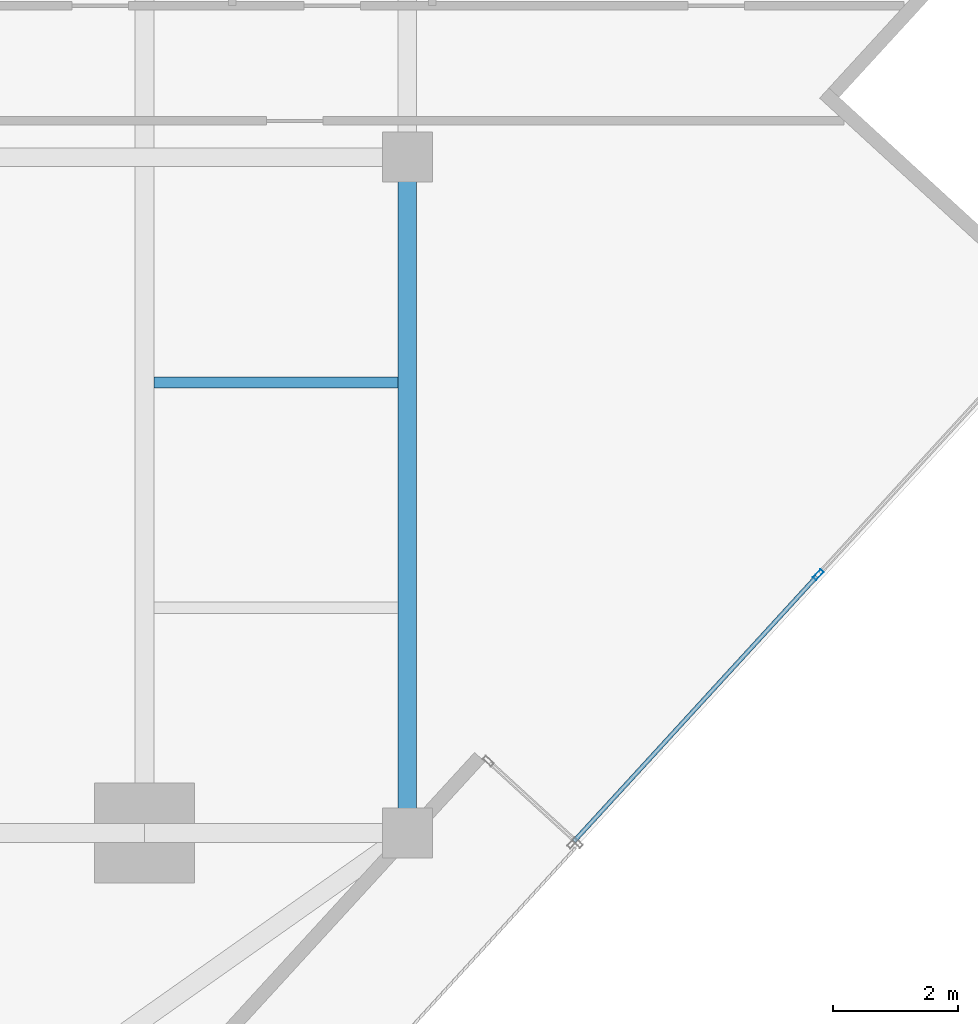
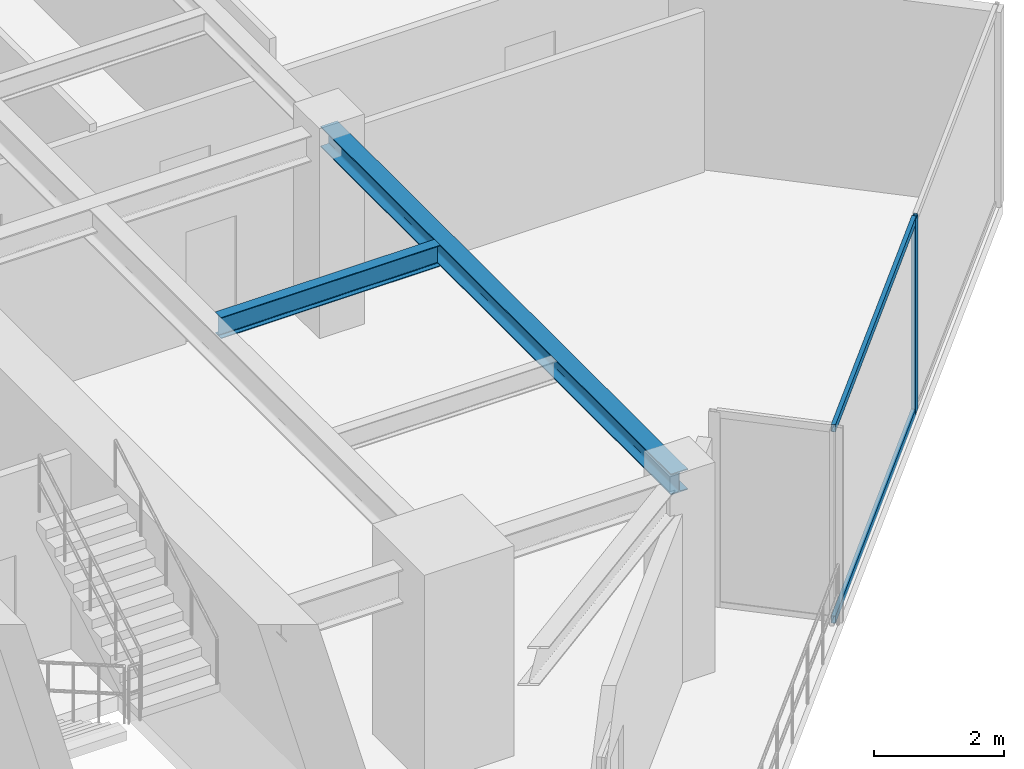
# One storey, part 11 of 26: 3 members, 2 beams, 1 element without a shape of its own.
"""IFC4 building model written with IfcOpenShell, lengths in metres."""

import ifcopenshell
import ifcopenshell.guid

model = None  # the IFC model being written
_history = None  # IfcOwnerHistory: only IFC2X3 demands one
_inside = {}  # id of a spatial element -> (the spatial element, [elements in it])
_under = {}  # id of a project, library or spatial element -> (it, [spatial elements below it])
_declared = {}  # id of a project -> (the project, [libraries it declares])
_typed = {}  # id of a type object -> (the type object, [elements of that type])
_made_of = {}  # id of a material, layer set ... -> (it, [elements and type objects made of it])


def new_model(schema):
    """Start an empty IFC model of exactly this schema.

    Asked for "IFC4X3", IfcOpenShell would pick the latest addendum, in which some entities
    have other attributes; the version numbers below select the first issue.
    IFC2X3 requires an IfcOwnerHistory on every rooted entity: one is made here for all.
    """
    global model, _history
    if schema == "IFC4X3":
        model = ifcopenshell.file(schema_version=(4, 3, 0, 0))
    else:
        model = ifcopenshell.file(schema=schema)
    _inside.clear()
    _under.clear()
    _declared.clear()
    _typed.clear()
    _made_of.clear()
    _history = None
    if model.schema == "IFC2X3":
        org = make("IfcOrganization", Name="unknown")
        user = make(
            "IfcPersonAndOrganization",
            ThePerson=make("IfcPerson", FamilyName="unknown"),
            TheOrganization=org,
        )
        app = make(
            "IfcApplication",
            ApplicationDeveloper=org,
            Version="unknown",
            ApplicationFullName="unknown",
            ApplicationIdentifier="unknown",
        )
        _history = make(
            "IfcOwnerHistory",
            OwningUser=user,
            OwningApplication=app,
            ChangeAction="ADDED",
            CreationDate=0,
        )
    return model


def make(cls, **values):
    """One entity of the class cls with the attributes given. An attribute that is None is left unset."""
    return model.create_entity(
        cls, **{name: value for name, value in values.items() if value is not None}
    )


def rooted(cls, **values):
    """An entity with a GlobalId (a new one), such as an element, a storey or a relation."""
    return make(cls, GlobalId=ifcopenshell.guid.new(), OwnerHistory=_history, **values)


def si_unit(unit_type, name, prefix=None):
    """IfcSIUnit, for example si_unit("LENGTHUNIT", "METRE", prefix="MILLI")."""
    return make("IfcSIUnit", UnitType=unit_type, Prefix=prefix, Name=name)


def assignment(units):
    """IfcUnitAssignment: the units of a project."""
    return None if units is None else make("IfcUnitAssignment", Units=units)


def point(xyz):
    """IfcCartesianPoint."""
    return None if xyz is None else make("IfcCartesianPoint", Coordinates=xyz)


def direction(xyz):
    """IfcDirection."""
    return None if xyz is None else make("IfcDirection", DirectionRatios=xyz)


def frame(location, z_axis=None, x_axis=None):
    """IfcAxis2Placement3D, a coordinate frame: its origin and axes. An axis left out is left unset."""
    return make(
        "IfcAxis2Placement3D",
        Location=point(location),
        Axis=direction(z_axis),
        RefDirection=direction(x_axis),
    )


def frame_2d(location, x_axis=None):
    """IfcAxis2Placement2D, a coordinate frame in the plane: its origin and x axis."""
    return make(
        "IfcAxis2Placement2D", Location=point(location), RefDirection=direction(x_axis)
    )


def origin():
    """The frame at (0, 0, 0) with its axes left unset."""
    return frame((0.0, 0.0, 0.0))


def origin_2d():
    """The frame at (0, 0) in the plane with its x axis left unset."""
    return frame_2d((0.0, 0.0))


def place(relative_to, where):
    """IfcLocalPlacement: puts the frame where relative to a parent placement (None: the world)."""
    return make(
        "IfcLocalPlacement", PlacementRelTo=relative_to, RelativePlacement=where
    )


def context(
    kind, dimensions, precision=None, world=None, true_north=None, identifier=None
):
    """IfcGeometricRepresentationContext, for example the 3D "Model" context."""
    return make(
        "IfcGeometricRepresentationContext",
        ContextIdentifier=identifier,
        ContextType=kind,
        CoordinateSpaceDimension=dimensions,
        Precision=precision,
        WorldCoordinateSystem=world,
        TrueNorth=true_north,
    )


def subcontext(parent, identifier, kind, view, scale=None):
    """IfcGeometricRepresentationSubContext, for example "Body" below "Model"."""
    return make(
        "IfcGeometricRepresentationSubContext",
        ContextIdentifier=identifier,
        ContextType=kind,
        ParentContext=parent,
        TargetScale=scale,
        TargetView=view,
    )


def project(units=None, contexts=None):
    """IfcProject with its units and contexts."""
    return rooted(
        "IfcProject",
        Name="project",
        RepresentationContexts=contexts,
        UnitsInContext=assignment(units),
    )


def spatial(cls, under=None, at=None, **own):
    """A site, building, storey or space (cls), placed at a placement, below another one or the project."""
    s = rooted(cls, ObjectPlacement=at, **own)
    if under is not None:
        _under.setdefault(under.id(), (under, []))[1].append(s)
    return s


def profile(cls, at=None, kind="AREA", **sizes):
    """A parametric profile (cls). Its sizes go by their IFC names, for example OverallWidth=200.0."""
    return make(cls, ProfileType=kind, Position=at, **sizes)


def hollow_rectangle(**sizes):
    """IfcRectangleHollowProfileDef."""
    return profile("IfcRectangleHollowProfileDef", **sizes)


def i_section(**sizes):
    """IfcIShapeProfileDef."""
    return profile("IfcIShapeProfileDef", **sizes)


def extrude(swept, where, along, depth):
    """IfcExtrudedAreaSolid: the profile swept, set in the frame where, extruded along a direction by depth."""
    return make(
        "IfcExtrudedAreaSolid",
        SweptArea=swept,
        Position=where,
        ExtrudedDirection=direction(along),
        Depth=depth,
    )


def shape(context_of_items, identifier, shape_type, items):
    """IfcShapeRepresentation: the items that make up one representation, for example the "Body"."""
    return make(
        "IfcShapeRepresentation",
        ContextOfItems=context_of_items,
        RepresentationIdentifier=identifier,
        RepresentationType=shape_type,
        Items=items,
    )


def source(mapping_origin, context_of_items, identifier, shape_type, items):
    """IfcRepresentationMap: a shape defined once, which mapped items show again and again."""
    return make(
        "IfcRepresentationMap",
        MappingOrigin=mapping_origin,
        MappedRepresentation=shape(context_of_items, identifier, shape_type, items),
    )


def transform(
    local_origin,
    x_axis=None,
    y_axis=None,
    z_axis=None,
    scale=None,
    scale2=None,
    scale3=None,
    uniform=True,
):
    """IfcCartesianTransformationOperator3D, or its non-uniform kind. x_axis, y_axis, z_axis: its Axis1, 2, 3."""
    if uniform:
        return make(
            "IfcCartesianTransformationOperator3D",
            Axis1=direction(x_axis),
            Axis2=direction(y_axis),
            LocalOrigin=point(local_origin),
            Scale=scale,
            Axis3=direction(z_axis),
        )
    return make(
        "IfcCartesianTransformationOperator3DnonUniform",
        Axis1=direction(x_axis),
        Axis2=direction(y_axis),
        LocalOrigin=point(local_origin),
        Scale=scale,
        Axis3=direction(z_axis),
        Scale2=scale2,
        Scale3=scale3,
    )


def mapped(mapping_source, mapping_target):
    """IfcMappedItem: shows the shape of a source again, moved by a transform."""
    return make(
        "IfcMappedItem", MappingSource=mapping_source, MappingTarget=mapping_target
    )


def material(Name=None, Category=None):
    """IfcMaterial."""
    return make("IfcMaterial", Name=Name, Category=Category)


def material_profile(
    of_material, cross_section, Name=None, Category=None, Priority=None
):
    """IfcMaterialProfile: a cross section and its material."""
    return make(
        "IfcMaterialProfile",
        Name=Name,
        Material=of_material,
        Profile=cross_section,
        Priority=Priority,
        Category=Category,
    )


def profile_set(profiles, Name=None, composite=None):
    """IfcMaterialProfileSet."""
    return make(
        "IfcMaterialProfileSet",
        Name=Name,
        MaterialProfiles=profiles,
        CompositeProfile=composite,
    )


def made_of(thing, what):
    """Note that an element or type object is made of a material, layer set ...; save() writes the relation."""
    if what is not None:
        _made_of.setdefault(what.id(), (what, []))[1].append(thing)
    return thing


def type_object(cls, material=None, **own):
    """A type object (cls), such as IfcWallType, which elements share."""
    return made_of(rooted(cls, **own), material)


def type_shapes(of_type, sources):
    """Give a type object the sources (RepresentationMaps) that its elements show as mapped items."""
    of_type.RepresentationMaps = sources


def element(
    cls,
    number,
    at=None,
    inside=None,
    cuts=None,
    type_object=None,
    material=None,
    context=None,
    identifier="Body",
    shape_type=None,
    held_by="IfcProductDefinitionShape",
    body=None,
    shapes=None,
    **own,
):
    """One element of the class cls, such as IfcWall. Its Tag is "e" and its number.

    at: its placement. inside: the storey or other place that contains it. cuts: it is an
    opening in that element (IfcRelVoidsElement). A single representation is given by context,
    identifier, shape_type and body (its items); several are given by shapes. held_by: the class
    of the entity that holds the representations. save() writes the other relations.
    """
    e = rooted(cls, Tag="e%d" % number, ObjectPlacement=at, **own)
    if body is not None:
        shapes = [shape(context, identifier, shape_type, body)]
    if shapes is not None:
        e.Representation = make(held_by, Representations=shapes)
    if inside is not None:
        _inside.setdefault(inside.id(), (inside, []))[1].append(e)
    if cuts is not None:
        rooted(
            "IfcRelVoidsElement", RelatingBuildingElement=cuts, RelatedOpeningElement=e
        )
    if type_object is not None:
        _typed.setdefault(type_object.id(), (type_object, []))[1].append(e)
    return made_of(e, material)


def aggregate(whole, parts):
    """IfcRelAggregates: a whole, such as a stair, and the parts it consists of."""
    return rooted("IfcRelAggregates", RelatingObject=whole, RelatedObjects=parts)


def save(model, path):
    """Write the relations noted so far, then the file.

    IfcRelAggregates (storeys below a building ...), IfcRelContainedInSpatialStructure (elements
    in a storey), IfcRelDefinesByType, IfcRelAssociatesMaterial and IfcRelDeclares: one each for
    every whole, place, type object, material and project.
    """
    for whole, parts in _under.values():
        aggregate(whole, parts)
    for where, things in _inside.values():
        rooted(
            "IfcRelContainedInSpatialStructure",
            RelatedElements=things,
            RelatingStructure=where,
        )
    for kind, things in _typed.values():
        rooted("IfcRelDefinesByType", RelatedObjects=things, RelatingType=kind)
    for what, things in _made_of.values():
        rooted("IfcRelAssociatesMaterial", RelatedObjects=things, RelatingMaterial=what)
    for by, libraries in _declared.values():
        rooted("IfcRelDeclares", RelatingContext=by, RelatedDefinitions=libraries)
    model.write(path)


model = new_model("IFC4")

# Units and contexts
model_context = context("Model", 3, precision=1e-05, world=origin(), true_north=direction((0.0, 1.0)))
body_context = subcontext(model_context, "Body", "Model", "MODEL_VIEW")
ifc_project = project(units=[si_unit("LENGTHUNIT", "METRE"), si_unit("AREAUNIT", "SQUARE_METRE"), si_unit("VOLUMEUNIT", "CUBIC_METRE"), si_unit("PLANEANGLEUNIT", "RADIAN"), si_unit("MASSUNIT", "GRAM", prefix="KILO")], contexts=[model_context])

# Site, building, storey
site_placement = place(None, origin())
site = spatial("IfcSite", under=ifc_project, at=site_placement, CompositionType="ELEMENT")
building_placement = place(site_placement, origin())
building = spatial("IfcBuilding", under=site, at=building_placement, Name="Krantzveldt Concourse Tower", CompositionType="ELEMENT")
storey_placement = place(building_placement, frame((0.0, 0.0, 223.10009765625)))
storey = spatial("IfcBuildingStorey", under=building, at=storey_placement, Name="L54", CompositionType="ELEMENT", Elevation=223.10009765625)

# Beams
ifc_material_1 = material(Name="Steel S355JR", Category="steel")
ifc_material_profile_1 = material_profile(ifc_material_1, i_section(OverallWidth=0.300048828125, OverallDepth=0.389892578125, WebThickness=0.010986328125, FlangeThickness=0.01904296875, FilletRadius=0.027099609375, at=origin_2d()), Name="Steel S355JR", Category="steel")
ifc_profile_set_1 = profile_set([ifc_material_profile_1], Name="Steel S355JR - HEA 400")
beam_type_1 = type_object("IfcBeamType", Name="BM-SP-HEA400", PredefinedType="SPANDREL", material=ifc_profile_set_1)
shared_shape_1 = source(origin(), body_context, "Body", "SweptSolid", [
    extrude(i_section(OverallWidth=0.300048828125, OverallDepth=0.389892578125, WebThickness=0.010986328125, FlangeThickness=0.01904296875, FilletRadius=0.027099609375, at=origin_2d()), origin(), (0.0, 0.0, 1.0), 10.800048828125),
])
type_shapes(beam_type_1, [shared_shape_1])
beam_1_placement = place(storey_placement, frame((51.0, 26.699951171875, 3.474853515625), z_axis=(0.0, -1.0, 0.0), x_axis=(1.0, 0.0, 0.0)))
element("IfcBeam", 1, at=beam_1_placement, inside=storey, type_object=beam_type_1, Name="L54 Tower Girder SP-R07", PredefinedType="SPANDREL", context=body_context, shape_type="MappedRepresentation", body=[
    mapped(shared_shape_1, transform((0.0, 0.0, 0.0), x_axis=(1.0, 0.0, 0.0), y_axis=(0.0, 1.0, 0.0), z_axis=(0.0, 0.0, 1.0), scale=1.0)),
])
ifc_material_profile_2 = material_profile(ifc_material_1, i_section(OverallWidth=0.179931640625, OverallDepth=0.39990234375, WebThickness=0.008544921875, FlangeThickness=0.013427734375, FilletRadius=0.02099609375, at=origin_2d()), Name="Steel S355JR", Category="steel")
ifc_profile_set_2 = profile_set([ifc_material_profile_2], Name="Steel S355JR - IPE 400")
beam_type_2 = type_object("IfcBeamType", Name="BM-J-IPE400", PredefinedType="JOIST", material=ifc_profile_set_2)
shared_shape_2 = source(origin(), body_context, "Body", "SweptSolid", [
    extrude(i_section(OverallWidth=0.179931640625, OverallDepth=0.39990234375, WebThickness=0.008544921875, FlangeThickness=0.013427734375, FilletRadius=0.02099609375, at=origin_2d()), origin(), (0.0, 0.0, 1.0), 3.900146484375),
])
type_shapes(beam_type_2, [shared_shape_2])
beam_2_placement = place(storey_placement, frame((46.949951171875, 23.10009765625, 3.469970703125), z_axis=(1.0, 0.0, 0.0), x_axis=(0.0, 1.0, 0.0)))
element("IfcBeam", 2, at=beam_2_placement, inside=storey, type_object=beam_type_2, Name="L54 Secondary Floor Joist JE-2", PredefinedType="JOIST", context=body_context, shape_type="MappedRepresentation", body=[
    mapped(shared_shape_2, transform((0.0, 0.0, 0.0), x_axis=(1.0, 0.0, 0.0), y_axis=(0.0, 1.0, 0.0), z_axis=(0.0, 0.0, 1.0), scale=1.0)),
])

# Curtain wall, members
ifc_material_2 = material(Name="Anodised aluminium 6063-T6", Category="aluminium")
curtain_wall_type = type_object("IfcCurtainWallType", Name="CW3", PredefinedType="USERDEFINED", material=ifc_material_2)
curtain_wall_placement = place(storey_placement, origin())
curtain_wall = element("IfcCurtainWall", 3, at=curtain_wall_placement, inside=storey, type_object=curtain_wall_type, Name="CW-L54-F11", ObjectType="UNITISED CURTAIN WALL", PredefinedType="USERDEFINED")
ifc_material_profile_3 = material_profile(ifc_material_2, hollow_rectangle(XDim=0.070068359375, YDim=0.179931640625, WallThickness=0.0048828125, at=origin_2d()), Name="Anodised aluminium 6063-T6", Category="aluminium")
ifc_profile_set_3 = profile_set([ifc_material_profile_3], Name="Anodised aluminium 6063-T6 - ALU-MULL 180x70x5")
member_type_1 = type_object("IfcMemberType", Name="CW-MUL-180", PredefinedType="MULLION", material=ifc_profile_set_3)
shared_shape_3 = source(origin(), body_context, "Body", "SweptSolid", [
    extrude(hollow_rectangle(XDim=0.070068359375, YDim=0.179931640625, WallThickness=0.0048828125, at=origin_2d()), origin(), (0.0, 0.0, 1.0), 3.669921875),
])
type_shapes(member_type_1, [shared_shape_3])
member_1_placement = place(storey_placement, frame((57.5673828125, 20.02587890625, 0.0), z_axis=(0.0, 0.0, 1.0), x_axis=(-0.737277769208, 0.675589735736, 0.0)))
member_1 = element("IfcMember", 4, at=member_1_placement, type_object=member_type_1, Name="CW-Z34 mullion 2", PredefinedType="MULLION", context=body_context, shape_type="MappedRepresentation", body=[
    mapped(shared_shape_3, transform((0.0, 0.0, 0.0), x_axis=(1.0, 0.0, 0.0), y_axis=(0.0, 1.0, 0.0), z_axis=(0.0, 0.0, 1.0), scale=1.0)),
])
ifc_material_profile_4 = material_profile(ifc_material_2, hollow_rectangle(XDim=0.070068359375, YDim=0.139892578125, WallThickness=0.0048828125, at=origin_2d()), Name="Anodised aluminium 6063-T6", Category="aluminium")
ifc_profile_set_4 = profile_set([ifc_material_profile_4], Name="Anodised aluminium 6063-T6 - ALU-TRAN 140x70x5")
member_type_2 = type_object("IfcMemberType", Name="CW-TRN-150", PredefinedType="USERDEFINED", material=ifc_profile_set_4)
shared_shape_4 = source(origin(), body_context, "Body", "SweptSolid", [
    extrude(hollow_rectangle(XDim=0.070068359375, YDim=0.139892578125, WallThickness=0.0048828125, at=origin_2d()), origin(), (0.0, 0.0, 1.0), 5.7451171875),
])
type_shapes(member_type_2, [shared_shape_4])
member_2_placement = place(storey_placement, frame((53.662353515625, 15.764404296875, 0.034912109375), z_axis=(0.675603385152, 0.737265261606, 0.0), x_axis=(-0.737265261606, 0.675603385152, 0.0)))
member_2 = element("IfcMember", 5, at=member_2_placement, type_object=member_type_2, Name="CW-Z34 transom 1.1", ObjectType="TRANSOM", PredefinedType="USERDEFINED", context=body_context, shape_type="MappedRepresentation", body=[
    mapped(shared_shape_4, transform((0.0, 0.0, 0.0), x_axis=(1.0, 0.0, 0.0), y_axis=(0.0, 1.0, 0.0), z_axis=(0.0, 0.0, 1.0), scale=1.0)),
])
member_3_placement = place(storey_placement, frame((53.662353515625, 15.764404296875, 3.635009765625), z_axis=(0.675603385152, 0.737265261606, 0.0), x_axis=(-0.737265261606, 0.675603385152, 0.0)))
member_3 = element("IfcMember", 6, at=member_3_placement, type_object=member_type_2, Name="CW-Z34 transom 1.2", ObjectType="TRANSOM", PredefinedType="USERDEFINED", context=body_context, shape_type="MappedRepresentation", body=[
    mapped(shared_shape_4, transform((0.0, 0.0, 0.0), x_axis=(1.0, 0.0, 0.0), y_axis=(0.0, 1.0, 0.0), z_axis=(0.0, 0.0, 1.0), scale=1.0)),
])
aggregate(curtain_wall, [member_1, member_2, member_3])

save(model, "model.ifc")
